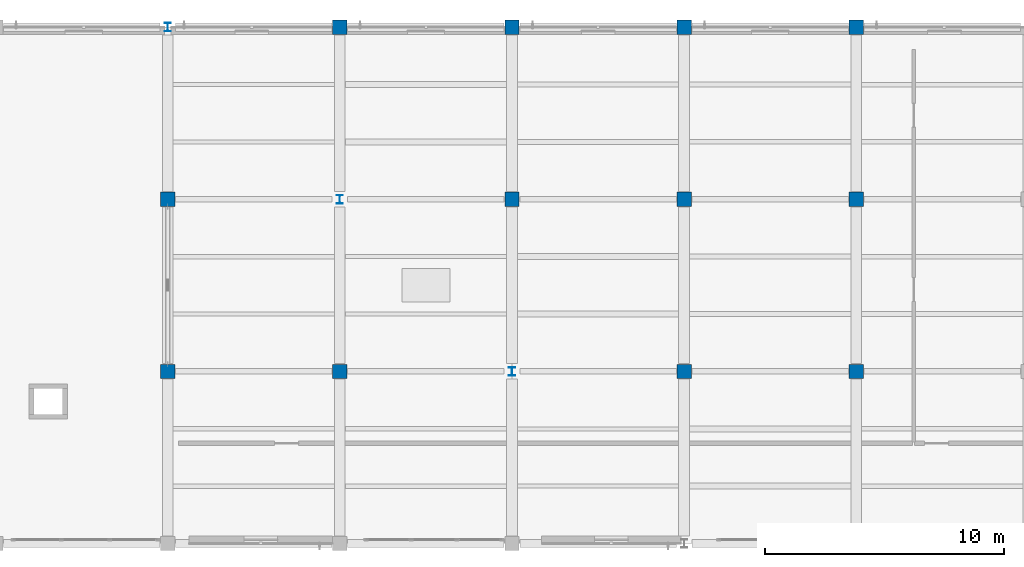
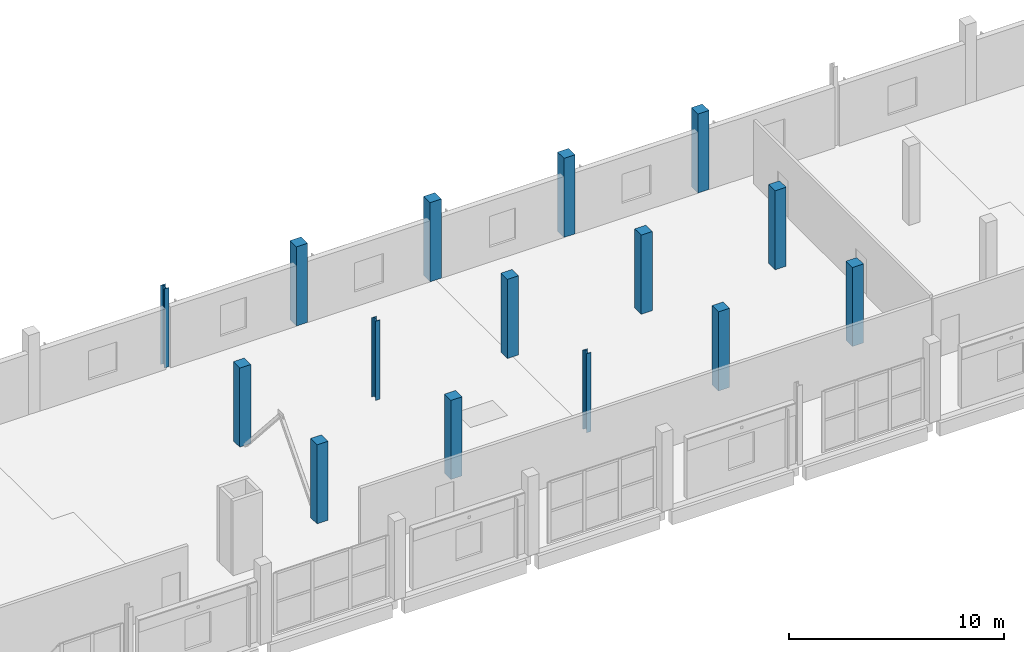
# One storey, part 16 of 123: 15 columns.
"""IFC4 building model written with IfcOpenShell, lengths in metres."""

from ifc_helpers import new_model, si_unit, direction, frame, origin, origin_2d, place, context, subcontext, project, spatial, rectangle, i_section, extrude, material, material_profile, profile_set, type_object, element, save


model = new_model("IFC4")

# Units and contexts
model_context = context("Model", 3, precision=1e-05, world=origin(), true_north=direction((0.0, 1.0)))
body_context = subcontext(model_context, "Body", "Model", "MODEL_VIEW")
ifc_project = project(units=[si_unit("LENGTHUNIT", "METRE"), si_unit("AREAUNIT", "SQUARE_METRE"), si_unit("VOLUMEUNIT", "CUBIC_METRE"), si_unit("PLANEANGLEUNIT", "RADIAN"), si_unit("MASSUNIT", "GRAM", prefix="KILO")], contexts=[model_context])

# Site, building, storey
site_placement = place(None, origin())
site = spatial("IfcSite", under=ifc_project, at=site_placement, CompositionType="ELEMENT")
building_placement = place(site_placement, origin())
building = spatial("IfcBuilding", under=site, at=building_placement, Name="Kalmorath City Hall", CompositionType="ELEMENT")
storey_placement = place(building_placement, frame((0.0, 0.0, 10.199951171875)))
storey = spatial("IfcBuildingStorey", under=building, at=storey_placement, Name="L02", CompositionType="ELEMENT", Elevation=10.199951171875)

# Columns
ifc_material_1 = material(Name="Concrete C50/60", Category="concrete")
ifc_material_profile_1 = material_profile(ifc_material_1, rectangle(XDim=0.60009765625, YDim=0.60009765625, at=origin_2d()), Name="RC-COL-600X600")
ifc_profile_set_1 = profile_set([ifc_material_profile_1], Name="Concrete C50/60")
column_type_1 = type_object("IfcColumnType", Name="Concrete column 600x600", PredefinedType="COLUMN", material=ifc_profile_set_1)
for number, where, z_axis, x_axis, name in (
    (1, (64.800048828125, 100.800048828125, 0.0), (0.0, 0.0, 1.0), (1.0, 0.0, 0.0), "L02 column C6 (10/15)"),
    (2, (64.800048828125, 108.0, 0.0), (0.0, 0.0, 1.0), (1.0, 0.0, 0.0), "L02 column C6 (10/16)"),
    (3, (72.0, 100.800048828125, 0.0), (0.0, 0.0, 1.0), (1.0, 0.0, 0.0), "L02 column C6 (11/15)"),
    (4, (72.0, 115.199951171875, 0.0), (0.0, 0.0, 1.0), (1.0, 0.0, 0.0), "L02 column C6 (11/17)"),
    (5, (79.199951171875, 108.0, 0.0), (0.0, 0.0, 1.0), (1.0, 0.0, 0.0), "L02 column C6 (12/16)"),
    (6, (79.199951171875, 115.199951171875, 0.0), (0.0, 0.0, 1.0), (1.0, 0.0, 0.0), "L02 column C6 (12/17)"),
    (7, (86.39990234375, 100.800048828125, 0.0), (0.0, 0.0, 1.0), (1.0, 0.0, 0.0), "L02 column C6 (13/15)"),
    (8, (86.39990234375, 108.0, 0.0), (0.0, 0.0, 1.0), (1.0, 0.0, 0.0), "L02 column C6 (13/16)"),
    (9, (86.39990234375, 115.199951171875, 0.0), (0.0, 0.0, 1.0), (1.0, 0.0, 0.0), "L02 column C6 (13/17)"),
    (10, (93.60009765625, 100.800048828125, 0.0), (0.0, 0.0, 1.0), (1.0, 0.0, 0.0), "L02 column C6 (14/15)"),
    (11, (93.60009765625, 108.0, 0.0), (0.0, 0.0, 1.0), (1.0, 0.0, 0.0), "L02 column C6 (14/16)"),
    (12, (93.60009765625, 115.199951171875, 0.0), (0.0, 0.0, 1.0), (1.0, 0.0, 0.0), "L02 column C6 (14/17)"),
):
    element("IfcColumn", number, at=place(storey_placement, frame(where, z_axis=z_axis, x_axis=x_axis)), inside=storey, type_object=column_type_1, Name=name, PredefinedType="COLUMN", context=body_context, shape_type="SweptSolid", body=[
        extrude(rectangle(XDim=0.60009765625, YDim=0.60009765625, at=origin_2d()), origin(), (0.0, 0.0, 1.0), 4.5),
    ])
ifc_material_2 = material(Name="Steel ASTM A992 Grade 50", Category="steel")
ifc_material_profile_2 = material_profile(ifc_material_2, i_section(OverallWidth=0.25390625, OverallDepth=0.35302734375, WebThickness=0.009521484375, FlangeThickness=0.016357421875, FilletRadius=0.014892578125, at=origin_2d()), Name="W14X61")
ifc_profile_set_2 = profile_set([ifc_material_profile_2], Name="Steel ASTM A992 Grade 50")
column_type_2 = type_object("IfcColumnType", Name="Steel wide-flange column W14X61", PredefinedType="COLUMN", material=ifc_profile_set_2)
for number, where, z_axis, x_axis, name in (
    (13, (64.800048828125, 115.199951171875, 0.0), (0.0, 0.0, 1.0), (1.0, 0.0, 0.0), "L02 column SC1 (10/17)"),
    (14, (72.0, 108.0, 0.0), (0.0, 0.0, 1.0), (1.0, 0.0, 0.0), "L02 column SC1 (11/16)"),
    (15, (79.199951171875, 100.800048828125, 0.0), (0.0, 0.0, 1.0), (1.0, 0.0, 0.0), "L02 column SC1 (12/15)"),
):
    element("IfcColumn", number, at=place(storey_placement, frame(where, z_axis=z_axis, x_axis=x_axis)), inside=storey, type_object=column_type_2, Name=name, PredefinedType="COLUMN", context=body_context, shape_type="SweptSolid", body=[
        extrude(i_section(OverallWidth=0.25390625, OverallDepth=0.35302734375, WebThickness=0.009521484375, FlangeThickness=0.016357421875, FilletRadius=0.014892578125, at=origin_2d()), origin(), (0.0, 0.0, 1.0), 4.5),
    ])

save(model, "model.ifc")
